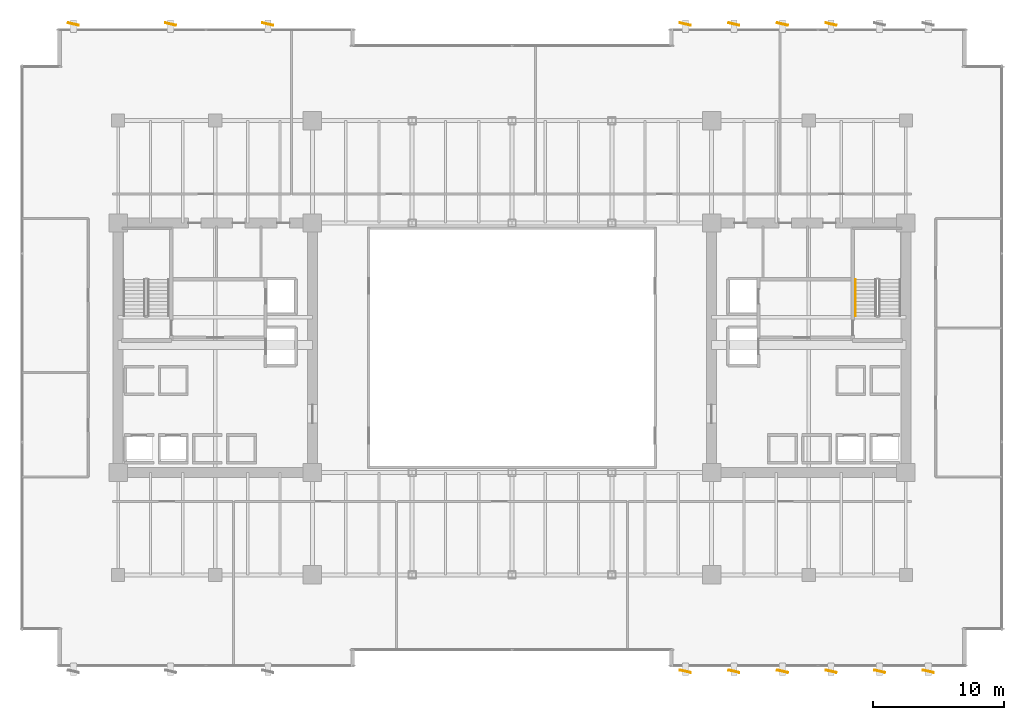
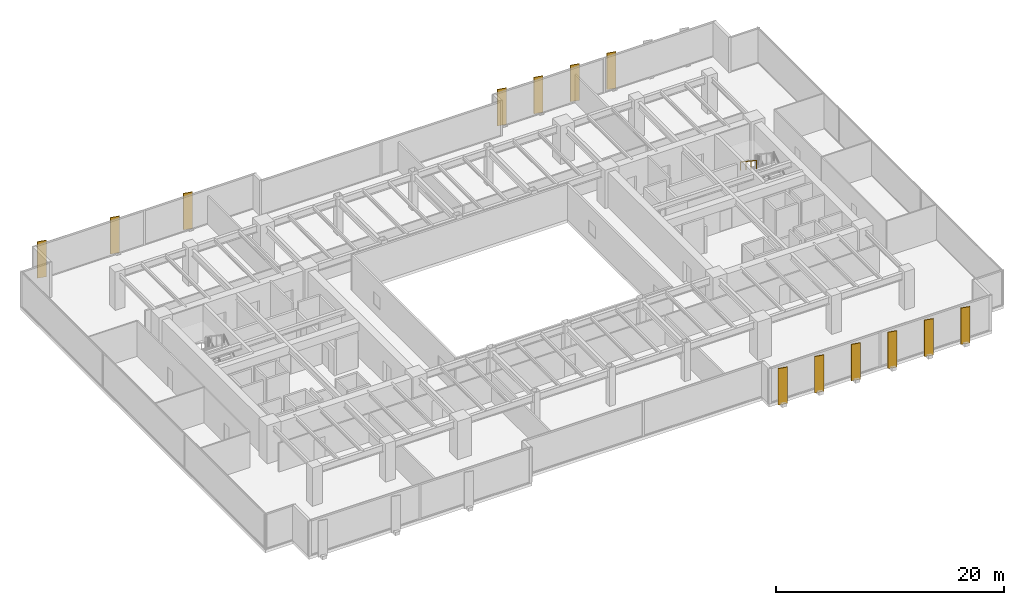
# One storey, part 35 of 36: 13 shading devices, 1 railing.
"""IFC4 building model written with IfcOpenShell, lengths in metres."""

import ifcopenshell
import ifcopenshell.guid

model = None  # the IFC model being written
_history = None  # IfcOwnerHistory: only IFC2X3 demands one
_inside = {}  # id of a spatial element -> (the spatial element, [elements in it])
_under = {}  # id of a project, library or spatial element -> (it, [spatial elements below it])
_declared = {}  # id of a project -> (the project, [libraries it declares])
_typed = {}  # id of a type object -> (the type object, [elements of that type])
_made_of = {}  # id of a material, layer set ... -> (it, [elements and type objects made of it])


def new_model(schema):
    """Start an empty IFC model of exactly this schema.

    Asked for "IFC4X3", IfcOpenShell would pick the latest addendum, in which some entities
    have other attributes; the version numbers below select the first issue.
    IFC2X3 requires an IfcOwnerHistory on every rooted entity: one is made here for all.
    """
    global model, _history
    if schema == "IFC4X3":
        model = ifcopenshell.file(schema_version=(4, 3, 0, 0))
    else:
        model = ifcopenshell.file(schema=schema)
    _inside.clear()
    _under.clear()
    _declared.clear()
    _typed.clear()
    _made_of.clear()
    _history = None
    if model.schema == "IFC2X3":
        org = make("IfcOrganization", Name="unknown")
        user = make(
            "IfcPersonAndOrganization",
            ThePerson=make("IfcPerson", FamilyName="unknown"),
            TheOrganization=org,
        )
        app = make(
            "IfcApplication",
            ApplicationDeveloper=org,
            Version="unknown",
            ApplicationFullName="unknown",
            ApplicationIdentifier="unknown",
        )
        _history = make(
            "IfcOwnerHistory",
            OwningUser=user,
            OwningApplication=app,
            ChangeAction="ADDED",
            CreationDate=0,
        )
    return model


def make(cls, **values):
    """One entity of the class cls with the attributes given. An attribute that is None is left unset."""
    return model.create_entity(
        cls, **{name: value for name, value in values.items() if value is not None}
    )


def rooted(cls, **values):
    """An entity with a GlobalId (a new one), such as an element, a storey or a relation."""
    return make(cls, GlobalId=ifcopenshell.guid.new(), OwnerHistory=_history, **values)


def si_unit(unit_type, name, prefix=None):
    """IfcSIUnit, for example si_unit("LENGTHUNIT", "METRE", prefix="MILLI")."""
    return make("IfcSIUnit", UnitType=unit_type, Prefix=prefix, Name=name)


def assignment(units):
    """IfcUnitAssignment: the units of a project."""
    return None if units is None else make("IfcUnitAssignment", Units=units)


def point(xyz):
    """IfcCartesianPoint."""
    return None if xyz is None else make("IfcCartesianPoint", Coordinates=xyz)


def direction(xyz):
    """IfcDirection."""
    return None if xyz is None else make("IfcDirection", DirectionRatios=xyz)


def frame(location, z_axis=None, x_axis=None):
    """IfcAxis2Placement3D, a coordinate frame: its origin and axes. An axis left out is left unset."""
    return make(
        "IfcAxis2Placement3D",
        Location=point(location),
        Axis=direction(z_axis),
        RefDirection=direction(x_axis),
    )


def frame_2d(location, x_axis=None):
    """IfcAxis2Placement2D, a coordinate frame in the plane: its origin and x axis."""
    return make(
        "IfcAxis2Placement2D", Location=point(location), RefDirection=direction(x_axis)
    )


def origin():
    """The frame at (0, 0, 0) with its axes left unset."""
    return frame((0.0, 0.0, 0.0))


def origin_2d():
    """The frame at (0, 0) in the plane with its x axis left unset."""
    return frame_2d((0.0, 0.0))


def place(relative_to, where):
    """IfcLocalPlacement: puts the frame where relative to a parent placement (None: the world)."""
    return make(
        "IfcLocalPlacement", PlacementRelTo=relative_to, RelativePlacement=where
    )


def context(
    kind, dimensions, precision=None, world=None, true_north=None, identifier=None
):
    """IfcGeometricRepresentationContext, for example the 3D "Model" context."""
    return make(
        "IfcGeometricRepresentationContext",
        ContextIdentifier=identifier,
        ContextType=kind,
        CoordinateSpaceDimension=dimensions,
        Precision=precision,
        WorldCoordinateSystem=world,
        TrueNorth=true_north,
    )


def subcontext(parent, identifier, kind, view, scale=None):
    """IfcGeometricRepresentationSubContext, for example "Body" below "Model"."""
    return make(
        "IfcGeometricRepresentationSubContext",
        ContextIdentifier=identifier,
        ContextType=kind,
        ParentContext=parent,
        TargetScale=scale,
        TargetView=view,
    )


def project(units=None, contexts=None):
    """IfcProject with its units and contexts."""
    return rooted(
        "IfcProject",
        Name="project",
        RepresentationContexts=contexts,
        UnitsInContext=assignment(units),
    )


def spatial(cls, under=None, at=None, **own):
    """A site, building, storey or space (cls), placed at a placement, below another one or the project."""
    s = rooted(cls, ObjectPlacement=at, **own)
    if under is not None:
        _under.setdefault(under.id(), (under, []))[1].append(s)
    return s


def profile(cls, at=None, kind="AREA", **sizes):
    """A parametric profile (cls). Its sizes go by their IFC names, for example OverallWidth=200.0."""
    return make(cls, ProfileType=kind, Position=at, **sizes)


def rectangle(**sizes):
    """IfcRectangleProfileDef."""
    return profile("IfcRectangleProfileDef", **sizes)


def circle(**sizes):
    """IfcCircleProfileDef."""
    return profile("IfcCircleProfileDef", **sizes)


def extrude(swept, where, along, depth):
    """IfcExtrudedAreaSolid: the profile swept, set in the frame where, extruded along a direction by depth."""
    return make(
        "IfcExtrudedAreaSolid",
        SweptArea=swept,
        Position=where,
        ExtrudedDirection=direction(along),
        Depth=depth,
    )


def shape(context_of_items, identifier, shape_type, items):
    """IfcShapeRepresentation: the items that make up one representation, for example the "Body"."""
    return make(
        "IfcShapeRepresentation",
        ContextOfItems=context_of_items,
        RepresentationIdentifier=identifier,
        RepresentationType=shape_type,
        Items=items,
    )


def source(mapping_origin, context_of_items, identifier, shape_type, items):
    """IfcRepresentationMap: a shape defined once, which mapped items show again and again."""
    return make(
        "IfcRepresentationMap",
        MappingOrigin=mapping_origin,
        MappedRepresentation=shape(context_of_items, identifier, shape_type, items),
    )


def transform(
    local_origin,
    x_axis=None,
    y_axis=None,
    z_axis=None,
    scale=None,
    scale2=None,
    scale3=None,
    uniform=True,
):
    """IfcCartesianTransformationOperator3D, or its non-uniform kind. x_axis, y_axis, z_axis: its Axis1, 2, 3."""
    if uniform:
        return make(
            "IfcCartesianTransformationOperator3D",
            Axis1=direction(x_axis),
            Axis2=direction(y_axis),
            LocalOrigin=point(local_origin),
            Scale=scale,
            Axis3=direction(z_axis),
        )
    return make(
        "IfcCartesianTransformationOperator3DnonUniform",
        Axis1=direction(x_axis),
        Axis2=direction(y_axis),
        LocalOrigin=point(local_origin),
        Scale=scale,
        Axis3=direction(z_axis),
        Scale2=scale2,
        Scale3=scale3,
    )


def mapped(mapping_source, mapping_target):
    """IfcMappedItem: shows the shape of a source again, moved by a transform."""
    return make(
        "IfcMappedItem", MappingSource=mapping_source, MappingTarget=mapping_target
    )


def material(Name=None, Category=None):
    """IfcMaterial."""
    return make("IfcMaterial", Name=Name, Category=Category)


def material_profile(
    of_material, cross_section, Name=None, Category=None, Priority=None
):
    """IfcMaterialProfile: a cross section and its material."""
    return make(
        "IfcMaterialProfile",
        Name=Name,
        Material=of_material,
        Profile=cross_section,
        Priority=Priority,
        Category=Category,
    )


def profile_set(profiles, Name=None, composite=None):
    """IfcMaterialProfileSet."""
    return make(
        "IfcMaterialProfileSet",
        Name=Name,
        MaterialProfiles=profiles,
        CompositeProfile=composite,
    )


def made_of(thing, what):
    """Note that an element or type object is made of a material, layer set ...; save() writes the relation."""
    if what is not None:
        _made_of.setdefault(what.id(), (what, []))[1].append(thing)
    return thing


def type_object(cls, material=None, **own):
    """A type object (cls), such as IfcWallType, which elements share."""
    return made_of(rooted(cls, **own), material)


def type_shapes(of_type, sources):
    """Give a type object the sources (RepresentationMaps) that its elements show as mapped items."""
    of_type.RepresentationMaps = sources


def element(
    cls,
    number,
    at=None,
    inside=None,
    cuts=None,
    type_object=None,
    material=None,
    context=None,
    identifier="Body",
    shape_type=None,
    held_by="IfcProductDefinitionShape",
    body=None,
    shapes=None,
    **own,
):
    """One element of the class cls, such as IfcWall. Its Tag is "e" and its number.

    at: its placement. inside: the storey or other place that contains it. cuts: it is an
    opening in that element (IfcRelVoidsElement). A single representation is given by context,
    identifier, shape_type and body (its items); several are given by shapes. held_by: the class
    of the entity that holds the representations. save() writes the other relations.
    """
    e = rooted(cls, Tag="e%d" % number, ObjectPlacement=at, **own)
    if body is not None:
        shapes = [shape(context, identifier, shape_type, body)]
    if shapes is not None:
        e.Representation = make(held_by, Representations=shapes)
    if inside is not None:
        _inside.setdefault(inside.id(), (inside, []))[1].append(e)
    if cuts is not None:
        rooted(
            "IfcRelVoidsElement", RelatingBuildingElement=cuts, RelatedOpeningElement=e
        )
    if type_object is not None:
        _typed.setdefault(type_object.id(), (type_object, []))[1].append(e)
    return made_of(e, material)


def aggregate(whole, parts):
    """IfcRelAggregates: a whole, such as a stair, and the parts it consists of."""
    return rooted("IfcRelAggregates", RelatingObject=whole, RelatedObjects=parts)


def save(model, path):
    """Write the relations noted so far, then the file.

    IfcRelAggregates (storeys below a building ...), IfcRelContainedInSpatialStructure (elements
    in a storey), IfcRelDefinesByType, IfcRelAssociatesMaterial and IfcRelDeclares: one each for
    every whole, place, type object, material and project.
    """
    for whole, parts in _under.values():
        aggregate(whole, parts)
    for where, things in _inside.values():
        rooted(
            "IfcRelContainedInSpatialStructure",
            RelatedElements=things,
            RelatingStructure=where,
        )
    for kind, things in _typed.values():
        rooted("IfcRelDefinesByType", RelatedObjects=things, RelatingType=kind)
    for what, things in _made_of.values():
        rooted("IfcRelAssociatesMaterial", RelatedObjects=things, RelatingMaterial=what)
    for by, libraries in _declared.values():
        rooted("IfcRelDeclares", RelatingContext=by, RelatedDefinitions=libraries)
    model.write(path)


model = new_model("IFC4")

# Units and contexts
model_context = context("Model", 3, precision=1e-05, world=origin(), true_north=direction((0.0, 1.0)))
body_context = subcontext(model_context, "Body", "Model", "MODEL_VIEW")
ifc_project = project(units=[si_unit("LENGTHUNIT", "METRE"), si_unit("AREAUNIT", "SQUARE_METRE"), si_unit("VOLUMEUNIT", "CUBIC_METRE"), si_unit("PLANEANGLEUNIT", "RADIAN"), si_unit("MASSUNIT", "GRAM", prefix="KILO")], contexts=[model_context])

# Site, building, storey
site_placement = place(None, origin())
site = spatial("IfcSite", under=ifc_project, at=site_placement, CompositionType="ELEMENT")
building_placement = place(site_placement, origin())
building = spatial("IfcBuilding", under=site, at=building_placement, Name="Haelvirn Gate Laboratories", CompositionType="ELEMENT")
storey_placement = place(building_placement, frame((0.0, 0.0, 29.300048828125)))
storey = spatial("IfcBuildingStorey", under=building, at=storey_placement, Name="L07", CompositionType="ELEMENT", Elevation=29.300048828125)

# Shading devices
ifc_material_1 = material(Name="Extruded aluminium 6063-T6 (anodised bronze)", Category="aluminium")
ifc_material_profile = material_profile(ifc_material_1, rectangle(XDim=0.074951171875, YDim=0.85009765625, at=origin_2d()), Name="FIN-850x75")
ifc_profile_set = profile_set([ifc_material_profile], Name="Extruded aluminium 6063-T6 (anodised bronze)")
shading_device_type = type_object("IfcShadingDeviceType", Name="SHD-FIN-850", PredefinedType="USERDEFINED", material=ifc_profile_set)
shared_shape_1 = source(origin(), body_context, "Body", "SweptSolid", [
    extrude(rectangle(XDim=0.074951171875, YDim=0.85009765625, at=origin_2d()), origin(), (0.0, 0.0, 1.0), 3.89990234375),
])
type_shapes(shading_device_type, [shared_shape_1])
for number, where, z_axis, x_axis, name in (
    (1, (4.0, 48.945068359375, -0.179931640625), (0.0, 0.0, 1.0), (0.221548497619, 0.975149354306, 0.0), "L07 Fluted Bronze Vertical Fin N01"),
    (2, (11.39990234375, 48.945068359375, -0.179931640625), (0.0, 0.0, 1.0), (0.221548497619, 0.975149354306, 0.0), "L07 Fluted Bronze Vertical Fin N02"),
    (3, (18.800048828125, 48.945068359375, -0.179931640625), (0.0, 0.0, 1.0), (0.221548497619, 0.975149354306, 0.0), "L07 Fluted Bronze Vertical Fin N03"),
    (4, (50.60009765625, -0.344970703125, -0.179931640625), (0.0, 0.0, 1.0), (0.221548497619, 0.975149354306, 0.0), "L07 Fluted Bronze Vertical Fin S04"),
    (5, (50.60009765625, 48.945068359375, -0.179931640625), (0.0, 0.0, 1.0), (0.221548497619, 0.975149354306, 0.0), "L07 Fluted Bronze Vertical Fin N04"),
    (6, (54.300048828125, -0.344970703125, -0.179931640625), (0.0, 0.0, 1.0), (0.221548497619, 0.975149354306, 0.0), "L07 Fluted Bronze Vertical Fin S05"),
    (7, (54.300048828125, 48.945068359375, -0.179931640625), (0.0, 0.0, 1.0), (0.221548497619, 0.975149354306, 0.0), "L07 Fluted Bronze Vertical Fin N05"),
    (8, (58.0, -0.344970703125, -0.179931640625), (0.0, 0.0, 1.0), (0.221548497619, 0.975149354306, 0.0), "L07 Fluted Bronze Vertical Fin S06"),
    (9, (58.0, 48.945068359375, -0.179931640625), (0.0, 0.0, 1.0), (0.221548497619, 0.975149354306, 0.0), "L07 Fluted Bronze Vertical Fin N06"),
    (10, (61.699951171875, -0.344970703125, -0.179931640625), (0.0, 0.0, 1.0), (0.221548497619, 0.975149354306, 0.0), "L07 Fluted Bronze Vertical Fin S07"),
    (11, (61.699951171875, 48.945068359375, -0.179931640625), (0.0, 0.0, 1.0), (0.221548497619, 0.975149354306, 0.0), "L07 Fluted Bronze Vertical Fin N07"),
    (12, (65.39990234375, -0.344970703125, -0.179931640625), (0.0, 0.0, 1.0), (0.221548497619, 0.975149354306, 0.0), "L07 Fluted Bronze Vertical Fin S08"),
    (13, (69.10009765625, -0.344970703125, -0.179931640625), (0.0, 0.0, 1.0), (0.221548497619, 0.975149354306, 0.0), "L07 Fluted Bronze Vertical Fin S09"),
):
    element("IfcShadingDevice", number, at=place(storey_placement, frame(where, z_axis=z_axis, x_axis=x_axis)), inside=storey, type_object=shading_device_type, Name=name, ObjectType="FIN", PredefinedType="USERDEFINED", context=body_context, shape_type="MappedRepresentation", body=[
        mapped(shared_shape_1, transform((0.0, 0.0, 0.0), scale=1.0)),
    ])

# Railing
ifc_material_2 = material(Name="Brushed stainless steel 316L", Category="steel")
railing_type = type_object("IfcRailingType", Name="RL-HAND-920", PredefinedType="HANDRAIL", material=ifc_material_2)
shared_shape_2 = source(origin(), body_context, "Body", "SweptSolid", [
    extrude(circle(Radius=0.02392578125, at=origin_2d()), frame((0.0, 0.0, 0.8759765625), z_axis=(0.0, -0.832485552168, 0.554046753832), x_axis=(1.0, 0.0, 0.0)), (0.0, 0.0, 1.0), 3.363525390625),
    extrude(circle(Radius=0.02099609375, at=origin_2d()), origin(), (0.0, 0.0, 1.0), 0.851806640625),
    extrude(circle(Radius=0.02099609375, at=origin_2d()), frame((0.0, -0.933349609375, 0.62109375)), (0.0, 0.0, 1.0), 0.851806640625),
    extrude(circle(Radius=0.02099609375, at=origin_2d()), frame((0.0, -1.86669921875, 1.242431640625)), (0.0, 0.0, 1.0), 0.851806640625),
    extrude(circle(Radius=0.02099609375, at=origin_2d()), frame((0.0, -2.800048828125, 1.863525390625)), (0.0, 0.0, 1.0), 0.851806640625),
])
type_shapes(railing_type, [shared_shape_2])
railing_placement = place(storey_placement, frame((63.550048828125, 29.5, 2.236328125)))
element("IfcRailing", 14, at=railing_placement, inside=storey, type_object=railing_type, Name="L07 ST2 stair handrail 2", PredefinedType="HANDRAIL", context=body_context, shape_type="MappedRepresentation", body=[
    mapped(shared_shape_2, transform((0.0, 0.0, 0.0), scale=1.0)),
])

save(model, "model.ifc")
